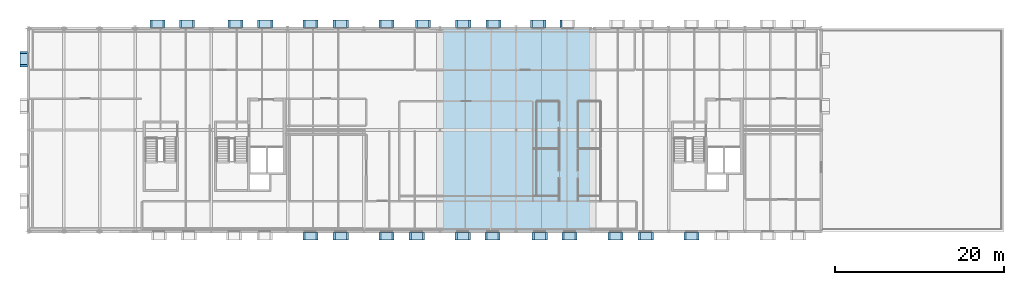
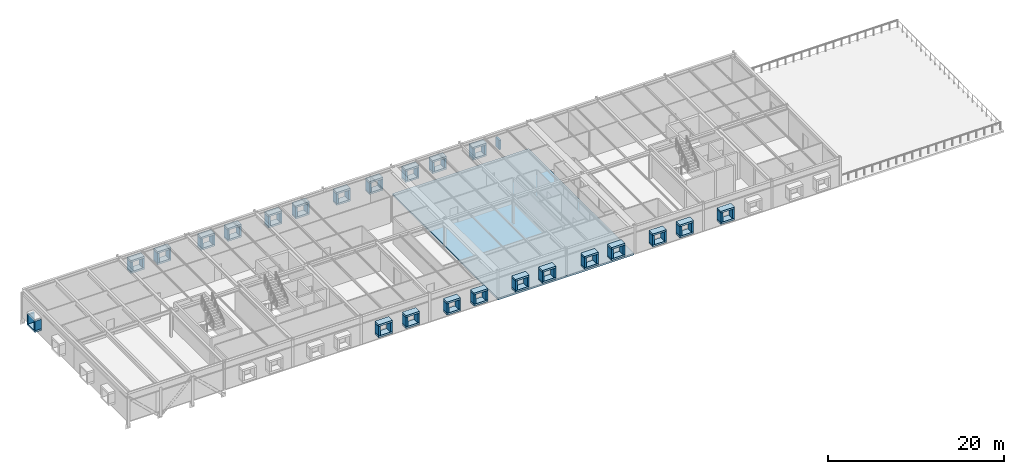
# One storey, part 6 of 17: 92 plates, 1 slab.
"""IFC4 building model written with IfcOpenShell, lengths in metres."""

from ifc_helpers import new_model, si_unit, direction, frame, origin, origin_2d, place, context, subcontext, project, spatial, polyline, rectangle, outline, extrude, material, layer, layer_set, type_object, element, save


model = new_model("IFC4")

# Units and contexts
model_context = context("Model", 3, precision=1e-05, world=origin(), true_north=direction((0.0, 1.0)))
body_context = subcontext(model_context, "Body", "Model", "MODEL_VIEW")
ifc_project = project(units=[si_unit("LENGTHUNIT", "METRE"), si_unit("AREAUNIT", "SQUARE_METRE"), si_unit("VOLUMEUNIT", "CUBIC_METRE"), si_unit("PLANEANGLEUNIT", "RADIAN"), si_unit("MASSUNIT", "GRAM", prefix="KILO")], contexts=[model_context])

# Site, building, storey
site_placement = place(None, origin())
site = spatial("IfcSite", under=ifc_project, at=site_placement, CompositionType="ELEMENT")
building_placement = place(site_placement, origin())
building = spatial("IfcBuilding", under=site, at=building_placement, Name="Montelvaro Courts of Justice", CompositionType="ELEMENT")
storey_placement = place(building_placement, frame((0.0, 0.0, 27.39990234375)))
storey = spatial("IfcBuildingStorey", under=building, at=storey_placement, Name="L06", CompositionType="ELEMENT", Elevation=27.39990234375)

# Slab
ifc_material_1 = material(Name="Concrete C35/45", Category="concrete")
ifc_layer_1 = layer(ifc_material_1, 0.239990234375)
ifc_layer_set_1 = layer_set([ifc_layer_1], Name="Concrete C35/45")
slab_type = type_object("IfcSlabType", Name="FloorSlab_240", PredefinedType="FLOOR", material=ifc_layer_set_1)
slab_placement = place(storey_placement, frame((0.0, 0.0, -0.239990234375)))
element("IfcSlab", 1, at=slab_placement, inside=storey, type_object=slab_type, Name="Structural Slab SF-08 L06", PredefinedType="FLOOR", context=body_context, shape_type="SweptSolid", body=[
    extrude(outline(polyline([(81.050048828125, 0.0), (98.949951171875, 0.0), (98.949951171875, 24.0), (81.050048828125, 24.0), (81.050048828125, 0.0)])), origin(), (0.0, 0.0, 1.0), 0.239990234375),
])

# Plates
ifc_material_2 = material(Name="White mineral precast concrete C45/55", Category="concrete")
ifc_layer_2 = layer(ifc_material_2, 0.25)
ifc_layer_set_2 = layer_set([ifc_layer_2], Name="White mineral precast concrete C45/55")
plate_type = type_object("IfcPlateType", Name="PrecastSquareFrame_250x850", PredefinedType="SHEET", material=ifc_layer_set_2)
for number, where, z_axis, x_axis, name in (
    (2, (65.702880859375, -0.56005859375, 2.35009765625), (0.0, 0.0, 1.0), (1.0, 0.0, 0.0), "Graduated Square Window Frame PF-03 W-L06-288 TOP"),
    (3, (65.702880859375, -0.56005859375, 0.800048828125), (0.0, 0.0, 1.0), (1.0, 0.0, 0.0), "Graduated Square Window Frame PF-03 W-L06-288 BOT"),
):
    element("IfcPlate", number, at=place(storey_placement, frame(where, z_axis=z_axis, x_axis=x_axis)), inside=storey, type_object=plate_type, Name=name, PredefinedType="SHEET", context=body_context, shape_type="SweptSolid", body=[
        extrude(rectangle(XDim=1.800048828125, YDim=0.860107421875, at=origin_2d()), origin(), (0.0, 0.0, 1.0), 0.25),
    ])
for number, where, z_axis, x_axis, name in (
    (4, (64.927978515625, -0.56005859375, 1.05029296875), (0.0, 0.0, 1.0), (1.0, 0.0, 0.0), "Graduated Square Window Frame PF-03 W-L06-288 L"),
    (5, (66.47802734375, -0.56005859375, 1.05029296875), (0.0, 0.0, 1.0), (1.0, 0.0, 0.0), "Graduated Square Window Frame PF-03 W-L06-288 R"),
):
    element("IfcPlate", number, at=place(storey_placement, frame(where, z_axis=z_axis, x_axis=x_axis)), inside=storey, type_object=plate_type, Name=name, PredefinedType="SHEET", context=body_context, shape_type="SweptSolid", body=[
        extrude(rectangle(XDim=0.25, YDim=0.860107421875, at=origin_2d()), origin(), (0.0, 0.0, 1.0), 1.300048828125),
    ])
for number, where, z_axis, x_axis, name in (
    (6, (69.297119140625, -0.56005859375, 2.35009765625), (0.0, 0.0, 1.0), (1.0, 0.0, 0.0), "Graduated Square Window Frame PF-03 W-L06-289 TOP"),
    (7, (69.297119140625, -0.56005859375, 0.800048828125), (0.0, 0.0, 1.0), (1.0, 0.0, 0.0), "Graduated Square Window Frame PF-03 W-L06-289 BOT"),
):
    element("IfcPlate", number, at=place(storey_placement, frame(where, z_axis=z_axis, x_axis=x_axis)), inside=storey, type_object=plate_type, Name=name, PredefinedType="SHEET", context=body_context, shape_type="SweptSolid", body=[
        extrude(rectangle(XDim=1.800048828125, YDim=0.860107421875, at=origin_2d()), origin(), (0.0, 0.0, 1.0), 0.25),
    ])
for number, where, z_axis, x_axis, name in (
    (8, (68.52197265625, -0.56005859375, 1.05029296875), (0.0, 0.0, 1.0), (1.0, 0.0, 0.0), "Graduated Square Window Frame PF-03 W-L06-289 L"),
    (9, (70.072021484375, -0.56005859375, 1.05029296875), (0.0, 0.0, 1.0), (1.0, 0.0, 0.0), "Graduated Square Window Frame PF-03 W-L06-289 R"),
):
    element("IfcPlate", number, at=place(storey_placement, frame(where, z_axis=z_axis, x_axis=x_axis)), inside=storey, type_object=plate_type, Name=name, PredefinedType="SHEET", context=body_context, shape_type="SweptSolid", body=[
        extrude(rectangle(XDim=0.25, YDim=0.860107421875, at=origin_2d()), origin(), (0.0, 0.0, 1.0), 1.300048828125),
    ])
for number, where, z_axis, x_axis, name in (
    (10, (74.68798828125, -0.56005859375, 2.35009765625), (0.0, 0.0, 1.0), (1.0, 0.0, 0.0), "Graduated Square Window Frame PF-03 W-L06-290 TOP"),
    (11, (74.68798828125, -0.56005859375, 0.800048828125), (0.0, 0.0, 1.0), (1.0, 0.0, 0.0), "Graduated Square Window Frame PF-03 W-L06-290 BOT"),
):
    element("IfcPlate", number, at=place(storey_placement, frame(where, z_axis=z_axis, x_axis=x_axis)), inside=storey, type_object=plate_type, Name=name, PredefinedType="SHEET", context=body_context, shape_type="SweptSolid", body=[
        extrude(rectangle(XDim=1.800048828125, YDim=0.860107421875, at=origin_2d()), origin(), (0.0, 0.0, 1.0), 0.25),
    ])
for number, where, z_axis, x_axis, name in (
    (12, (73.9130859375, -0.56005859375, 1.05029296875), (0.0, 0.0, 1.0), (1.0, 0.0, 0.0), "Graduated Square Window Frame PF-03 W-L06-290 L"),
    (13, (75.462890625, -0.56005859375, 1.05029296875), (0.0, 0.0, 1.0), (1.0, 0.0, 0.0), "Graduated Square Window Frame PF-03 W-L06-290 R"),
):
    element("IfcPlate", number, at=place(storey_placement, frame(where, z_axis=z_axis, x_axis=x_axis)), inside=storey, type_object=plate_type, Name=name, PredefinedType="SHEET", context=body_context, shape_type="SweptSolid", body=[
        extrude(rectangle(XDim=0.25, YDim=0.860107421875, at=origin_2d()), origin(), (0.0, 0.0, 1.0), 1.300048828125),
    ])
for number, where, z_axis, x_axis, name in (
    (14, (78.261962890625, -0.56005859375, 2.35009765625), (0.0, 0.0, 1.0), (1.0, 0.0, 0.0), "Graduated Square Window Frame PF-03 W-L06-291 TOP"),
    (15, (78.261962890625, -0.56005859375, 0.800048828125), (0.0, 0.0, 1.0), (1.0, 0.0, 0.0), "Graduated Square Window Frame PF-03 W-L06-291 BOT"),
):
    element("IfcPlate", number, at=place(storey_placement, frame(where, z_axis=z_axis, x_axis=x_axis)), inside=storey, type_object=plate_type, Name=name, PredefinedType="SHEET", context=body_context, shape_type="SweptSolid", body=[
        extrude(rectangle(XDim=1.800048828125, YDim=0.860107421875, at=origin_2d()), origin(), (0.0, 0.0, 1.0), 0.25),
    ])
for number, where, z_axis, x_axis, name in (
    (16, (77.487060546875, -0.56005859375, 1.05029296875), (0.0, 0.0, 1.0), (1.0, 0.0, 0.0), "Graduated Square Window Frame PF-03 W-L06-291 L"),
    (17, (79.037109375, -0.56005859375, 1.05029296875), (0.0, 0.0, 1.0), (1.0, 0.0, 0.0), "Graduated Square Window Frame PF-03 W-L06-291 R"),
):
    element("IfcPlate", number, at=place(storey_placement, frame(where, z_axis=z_axis, x_axis=x_axis)), inside=storey, type_object=plate_type, Name=name, PredefinedType="SHEET", context=body_context, shape_type="SweptSolid", body=[
        extrude(rectangle(XDim=0.25, YDim=0.860107421875, at=origin_2d()), origin(), (0.0, 0.0, 1.0), 1.300048828125),
    ])
for number, where, z_axis, x_axis, name in (
    (18, (78.989990234375, 24.56005859375, 2.35009765625), (0.0, 0.0, 1.0), (-1.0, 0.0, 0.0), "Graduated Square Window Frame PF-03 W-L06-292 TOP"),
    (19, (78.989990234375, 24.56005859375, 0.800048828125), (0.0, 0.0, 1.0), (-1.0, 0.0, 0.0), "Graduated Square Window Frame PF-03 W-L06-292 BOT"),
):
    element("IfcPlate", number, at=place(storey_placement, frame(where, z_axis=z_axis, x_axis=x_axis)), inside=storey, type_object=plate_type, Name=name, PredefinedType="SHEET", context=body_context, shape_type="SweptSolid", body=[
        extrude(rectangle(XDim=1.800048828125, YDim=0.860107421875, at=origin_2d()), origin(), (0.0, 0.0, 1.0), 0.25),
    ])
for number, where, z_axis, x_axis, name in (
    (20, (79.764892578125, 24.56005859375, 1.05029296875), (0.0, 0.0, 1.0), (-1.0, 0.0, 0.0), "Graduated Square Window Frame PF-03 W-L06-292 L"),
    (21, (78.215087890625, 24.56005859375, 1.05029296875), (0.0, 0.0, 1.0), (-1.0, 0.0, 0.0), "Graduated Square Window Frame PF-03 W-L06-292 R"),
):
    element("IfcPlate", number, at=place(storey_placement, frame(where, z_axis=z_axis, x_axis=x_axis)), inside=storey, type_object=plate_type, Name=name, PredefinedType="SHEET", context=body_context, shape_type="SweptSolid", body=[
        extrude(rectangle(XDim=0.25, YDim=0.860107421875, at=origin_2d()), origin(), (0.0, 0.0, 1.0), 1.300048828125),
    ])
for number, where, z_axis, x_axis, name in (
    (22, (74.68798828125, 24.56005859375, 2.35009765625), (0.0, 0.0, 1.0), (-1.0, 0.0, 0.0), "Graduated Square Window Frame PF-03 W-L06-293 TOP"),
    (23, (74.68798828125, 24.56005859375, 0.800048828125), (0.0, 0.0, 1.0), (-1.0, 0.0, 0.0), "Graduated Square Window Frame PF-03 W-L06-293 BOT"),
):
    element("IfcPlate", number, at=place(storey_placement, frame(where, z_axis=z_axis, x_axis=x_axis)), inside=storey, type_object=plate_type, Name=name, PredefinedType="SHEET", context=body_context, shape_type="SweptSolid", body=[
        extrude(rectangle(XDim=1.800048828125, YDim=0.860107421875, at=origin_2d()), origin(), (0.0, 0.0, 1.0), 0.25),
    ])
for number, where, z_axis, x_axis, name in (
    (24, (75.462890625, 24.56005859375, 1.05029296875), (0.0, 0.0, 1.0), (-1.0, 0.0, 0.0), "Graduated Square Window Frame PF-03 W-L06-293 L"),
    (25, (73.9130859375, 24.56005859375, 1.05029296875), (0.0, 0.0, 1.0), (-1.0, 0.0, 0.0), "Graduated Square Window Frame PF-03 W-L06-293 R"),
):
    element("IfcPlate", number, at=place(storey_placement, frame(where, z_axis=z_axis, x_axis=x_axis)), inside=storey, type_object=plate_type, Name=name, PredefinedType="SHEET", context=body_context, shape_type="SweptSolid", body=[
        extrude(rectangle(XDim=0.25, YDim=0.860107421875, at=origin_2d()), origin(), (0.0, 0.0, 1.0), 1.300048828125),
    ])
for number, where, z_axis, x_axis, name in (
    (26, (69.297119140625, 24.56005859375, 2.35009765625), (0.0, 0.0, 1.0), (-1.0, 0.0, 0.0), "Graduated Square Window Frame PF-03 W-L06-294 TOP"),
    (27, (69.297119140625, 24.56005859375, 0.800048828125), (0.0, 0.0, 1.0), (-1.0, 0.0, 0.0), "Graduated Square Window Frame PF-03 W-L06-294 BOT"),
):
    element("IfcPlate", number, at=place(storey_placement, frame(where, z_axis=z_axis, x_axis=x_axis)), inside=storey, type_object=plate_type, Name=name, PredefinedType="SHEET", context=body_context, shape_type="SweptSolid", body=[
        extrude(rectangle(XDim=1.800048828125, YDim=0.860107421875, at=origin_2d()), origin(), (0.0, 0.0, 1.0), 0.25),
    ])
for number, where, z_axis, x_axis, name in (
    (28, (70.072021484375, 24.56005859375, 1.05029296875), (0.0, 0.0, 1.0), (-1.0, 0.0, 0.0), "Graduated Square Window Frame PF-03 W-L06-294 L"),
    (29, (68.52197265625, 24.56005859375, 1.05029296875), (0.0, 0.0, 1.0), (-1.0, 0.0, 0.0), "Graduated Square Window Frame PF-03 W-L06-294 R"),
):
    element("IfcPlate", number, at=place(storey_placement, frame(where, z_axis=z_axis, x_axis=x_axis)), inside=storey, type_object=plate_type, Name=name, PredefinedType="SHEET", context=body_context, shape_type="SweptSolid", body=[
        extrude(rectangle(XDim=0.25, YDim=0.860107421875, at=origin_2d()), origin(), (0.0, 0.0, 1.0), 1.300048828125),
    ])
for number, where, z_axis, x_axis, name in (
    (30, (65.702880859375, 24.56005859375, 2.35009765625), (0.0, 0.0, 1.0), (-1.0, 0.0, 0.0), "Graduated Square Window Frame PF-03 W-L06-295 TOP"),
    (31, (65.702880859375, 24.56005859375, 0.800048828125), (0.0, 0.0, 1.0), (-1.0, 0.0, 0.0), "Graduated Square Window Frame PF-03 W-L06-295 BOT"),
):
    element("IfcPlate", number, at=place(storey_placement, frame(where, z_axis=z_axis, x_axis=x_axis)), inside=storey, type_object=plate_type, Name=name, PredefinedType="SHEET", context=body_context, shape_type="SweptSolid", body=[
        extrude(rectangle(XDim=1.800048828125, YDim=0.860107421875, at=origin_2d()), origin(), (0.0, 0.0, 1.0), 0.25),
    ])
for number, where, z_axis, x_axis, name in (
    (32, (66.47802734375, 24.56005859375, 1.05029296875), (0.0, 0.0, 1.0), (-1.0, 0.0, 0.0), "Graduated Square Window Frame PF-03 W-L06-295 L"),
    (33, (64.927978515625, 24.56005859375, 1.05029296875), (0.0, 0.0, 1.0), (-1.0, 0.0, 0.0), "Graduated Square Window Frame PF-03 W-L06-295 R"),
):
    element("IfcPlate", number, at=place(storey_placement, frame(where, z_axis=z_axis, x_axis=x_axis)), inside=storey, type_object=plate_type, Name=name, PredefinedType="SHEET", context=body_context, shape_type="SweptSolid", body=[
        extrude(rectangle(XDim=0.25, YDim=0.860107421875, at=origin_2d()), origin(), (0.0, 0.0, 1.0), 1.300048828125),
    ])
for number, where, z_axis, x_axis, name in (
    (34, (60.368896484375, 24.56005859375, 2.35009765625), (0.0, 0.0, 1.0), (-1.0, 0.0, 0.0), "Graduated Square Window Frame PF-03 W-L06-296 TOP"),
    (35, (60.368896484375, 24.56005859375, 0.800048828125), (0.0, 0.0, 1.0), (-1.0, 0.0, 0.0), "Graduated Square Window Frame PF-03 W-L06-296 BOT"),
):
    element("IfcPlate", number, at=place(storey_placement, frame(where, z_axis=z_axis, x_axis=x_axis)), inside=storey, type_object=plate_type, Name=name, PredefinedType="SHEET", context=body_context, shape_type="SweptSolid", body=[
        extrude(rectangle(XDim=1.800048828125, YDim=0.860107421875, at=origin_2d()), origin(), (0.0, 0.0, 1.0), 0.25),
    ])
for number, where, z_axis, x_axis, name in (
    (36, (61.14404296875, 24.56005859375, 1.05029296875), (0.0, 0.0, 1.0), (-1.0, 0.0, 0.0), "Graduated Square Window Frame PF-03 W-L06-296 L"),
    (37, (59.593994140625, 24.56005859375, 1.05029296875), (0.0, 0.0, 1.0), (-1.0, 0.0, 0.0), "Graduated Square Window Frame PF-03 W-L06-296 R"),
):
    element("IfcPlate", number, at=place(storey_placement, frame(where, z_axis=z_axis, x_axis=x_axis)), inside=storey, type_object=plate_type, Name=name, PredefinedType="SHEET", context=body_context, shape_type="SweptSolid", body=[
        extrude(rectangle(XDim=0.25, YDim=0.860107421875, at=origin_2d()), origin(), (0.0, 0.0, 1.0), 1.300048828125),
    ])
for number, where, z_axis, x_axis, name in (
    (38, (56.87109375, 24.56005859375, 2.35009765625), (0.0, 0.0, 1.0), (-1.0, 0.0, 0.0), "Graduated Square Window Frame PF-03 W-L06-297 TOP"),
    (39, (56.87109375, 24.56005859375, 0.800048828125), (0.0, 0.0, 1.0), (-1.0, 0.0, 0.0), "Graduated Square Window Frame PF-03 W-L06-297 BOT"),
):
    element("IfcPlate", number, at=place(storey_placement, frame(where, z_axis=z_axis, x_axis=x_axis)), inside=storey, type_object=plate_type, Name=name, PredefinedType="SHEET", context=body_context, shape_type="SweptSolid", body=[
        extrude(rectangle(XDim=1.800048828125, YDim=0.860107421875, at=origin_2d()), origin(), (0.0, 0.0, 1.0), 0.25),
    ])
for number, where, z_axis, x_axis, name in (
    (40, (57.64599609375, 24.56005859375, 1.05029296875), (0.0, 0.0, 1.0), (-1.0, 0.0, 0.0), "Graduated Square Window Frame PF-03 W-L06-297 L"),
    (41, (56.095947265625, 24.56005859375, 1.05029296875), (0.0, 0.0, 1.0), (-1.0, 0.0, 0.0), "Graduated Square Window Frame PF-03 W-L06-297 R"),
):
    element("IfcPlate", number, at=place(storey_placement, frame(where, z_axis=z_axis, x_axis=x_axis)), inside=storey, type_object=plate_type, Name=name, PredefinedType="SHEET", context=body_context, shape_type="SweptSolid", body=[
        extrude(rectangle(XDim=0.25, YDim=0.860107421875, at=origin_2d()), origin(), (0.0, 0.0, 1.0), 1.300048828125),
    ])
for number, where, z_axis, x_axis, name in (
    (42, (51.12890625, 24.56005859375, 2.35009765625), (0.0, 0.0, 1.0), (-1.0, 0.0, 0.0), "Graduated Square Window Frame PF-03 W-L06-298 TOP"),
    (43, (51.12890625, 24.56005859375, 0.800048828125), (0.0, 0.0, 1.0), (-1.0, 0.0, 0.0), "Graduated Square Window Frame PF-03 W-L06-298 BOT"),
):
    element("IfcPlate", number, at=place(storey_placement, frame(where, z_axis=z_axis, x_axis=x_axis)), inside=storey, type_object=plate_type, Name=name, PredefinedType="SHEET", context=body_context, shape_type="SweptSolid", body=[
        extrude(rectangle(XDim=1.800048828125, YDim=0.860107421875, at=origin_2d()), origin(), (0.0, 0.0, 1.0), 0.25),
    ])
for number, where, z_axis, x_axis, name in (
    (44, (51.904052734375, 24.56005859375, 1.05029296875), (0.0, 0.0, 1.0), (-1.0, 0.0, 0.0), "Graduated Square Window Frame PF-03 W-L06-298 L"),
    (45, (50.35400390625, 24.56005859375, 1.05029296875), (0.0, 0.0, 1.0), (-1.0, 0.0, 0.0), "Graduated Square Window Frame PF-03 W-L06-298 R"),
):
    element("IfcPlate", number, at=place(storey_placement, frame(where, z_axis=z_axis, x_axis=x_axis)), inside=storey, type_object=plate_type, Name=name, PredefinedType="SHEET", context=body_context, shape_type="SweptSolid", body=[
        extrude(rectangle(XDim=0.25, YDim=0.860107421875, at=origin_2d()), origin(), (0.0, 0.0, 1.0), 1.300048828125),
    ])
for number, where, z_axis, x_axis, name in (
    (46, (47.631103515625, 24.56005859375, 2.35009765625), (0.0, 0.0, 1.0), (-1.0, 0.0, 0.0), "Graduated Square Window Frame PF-03 W-L06-299 TOP"),
    (47, (47.631103515625, 24.56005859375, 0.800048828125), (0.0, 0.0, 1.0), (-1.0, 0.0, 0.0), "Graduated Square Window Frame PF-03 W-L06-299 BOT"),
):
    element("IfcPlate", number, at=place(storey_placement, frame(where, z_axis=z_axis, x_axis=x_axis)), inside=storey, type_object=plate_type, Name=name, PredefinedType="SHEET", context=body_context, shape_type="SweptSolid", body=[
        extrude(rectangle(XDim=1.800048828125, YDim=0.860107421875, at=origin_2d()), origin(), (0.0, 0.0, 1.0), 0.25),
    ])
for number, where, z_axis, x_axis, name in (
    (48, (48.406005859375, 24.56005859375, 1.05029296875), (0.0, 0.0, 1.0), (-1.0, 0.0, 0.0), "Graduated Square Window Frame PF-03 W-L06-299 L"),
    (49, (46.85595703125, 24.56005859375, 1.05029296875), (0.0, 0.0, 1.0), (-1.0, 0.0, 0.0), "Graduated Square Window Frame PF-03 W-L06-299 R"),
):
    element("IfcPlate", number, at=place(storey_placement, frame(where, z_axis=z_axis, x_axis=x_axis)), inside=storey, type_object=plate_type, Name=name, PredefinedType="SHEET", context=body_context, shape_type="SweptSolid", body=[
        extrude(rectangle(XDim=0.25, YDim=0.860107421875, at=origin_2d()), origin(), (0.0, 0.0, 1.0), 1.300048828125),
    ])
plate_placement = place(storey_placement, frame((31.840087890625, 20.368896484375, 0.800048828125), z_axis=(0.0, 0.0, 1.0), x_axis=(0.0, -1.0, 0.0)))
element("IfcPlate", 50, at=plate_placement, inside=storey, type_object=plate_type, Name="Graduated Square Window Frame PF-03 W-L06-300 BOT", PredefinedType="SHEET", context=body_context, shape_type="SweptSolid", body=[
    extrude(rectangle(XDim=1.800048828125, YDim=0.860107421875, at=origin_2d()), origin(), (0.0, 0.0, 1.0), 0.25),
])
for number, where, z_axis, x_axis, name in (
    (51, (31.840087890625, 21.14404296875, 1.05029296875), (0.0, 0.0, 1.0), (0.0, -1.0, 0.0), "Graduated Square Window Frame PF-03 W-L06-300 L"),
    (52, (31.840087890625, 19.593994140625, 1.05029296875), (0.0, 0.0, 1.0), (0.0, -1.0, 0.0), "Graduated Square Window Frame PF-03 W-L06-300 R"),
):
    element("IfcPlate", number, at=place(storey_placement, frame(where, z_axis=z_axis, x_axis=x_axis)), inside=storey, type_object=plate_type, Name=name, PredefinedType="SHEET", context=body_context, shape_type="SweptSolid", body=[
        extrude(rectangle(XDim=0.25, YDim=0.860107421875, at=origin_2d()), origin(), (0.0, 0.0, 1.0), 1.300048828125),
    ])
for number, where, z_axis, x_axis, name in (
    (53, (83.696044921875, -0.56005859375, 2.35009765625), (0.0, 0.0, 1.0), (1.0, 0.0, 0.0), "Graduated Square Window Frame PF-03 W-L06-304 TOP"),
    (54, (83.696044921875, -0.56005859375, 0.800048828125), (0.0, 0.0, 1.0), (1.0, 0.0, 0.0), "Graduated Square Window Frame PF-03 W-L06-304 BOT"),
):
    element("IfcPlate", number, at=place(storey_placement, frame(where, z_axis=z_axis, x_axis=x_axis)), inside=storey, type_object=plate_type, Name=name, PredefinedType="SHEET", context=body_context, shape_type="SweptSolid", body=[
        extrude(rectangle(XDim=1.800048828125, YDim=0.860107421875, at=origin_2d()), origin(), (0.0, 0.0, 1.0), 0.25),
    ])
for number, where, z_axis, x_axis, name in (
    (55, (82.9208984375, -0.56005859375, 1.05029296875), (0.0, 0.0, 1.0), (1.0, 0.0, 0.0), "Graduated Square Window Frame PF-03 W-L06-304 L"),
    (56, (84.470947265625, -0.56005859375, 1.05029296875), (0.0, 0.0, 1.0), (1.0, 0.0, 0.0), "Graduated Square Window Frame PF-03 W-L06-304 R"),
):
    element("IfcPlate", number, at=place(storey_placement, frame(where, z_axis=z_axis, x_axis=x_axis)), inside=storey, type_object=plate_type, Name=name, PredefinedType="SHEET", context=body_context, shape_type="SweptSolid", body=[
        extrude(rectangle(XDim=0.25, YDim=0.860107421875, at=origin_2d()), origin(), (0.0, 0.0, 1.0), 1.300048828125),
    ])
for number, where, z_axis, x_axis, name in (
    (57, (87.214111328125, -0.56005859375, 2.35009765625), (0.0, 0.0, 1.0), (1.0, 0.0, 0.0), "Graduated Square Window Frame PF-03 W-L06-305 TOP"),
    (58, (87.214111328125, -0.56005859375, 0.800048828125), (0.0, 0.0, 1.0), (1.0, 0.0, 0.0), "Graduated Square Window Frame PF-03 W-L06-305 BOT"),
):
    element("IfcPlate", number, at=place(storey_placement, frame(where, z_axis=z_axis, x_axis=x_axis)), inside=storey, type_object=plate_type, Name=name, PredefinedType="SHEET", context=body_context, shape_type="SweptSolid", body=[
        extrude(rectangle(XDim=1.800048828125, YDim=0.860107421875, at=origin_2d()), origin(), (0.0, 0.0, 1.0), 0.25),
    ])
for number, where, z_axis, x_axis, name in (
    (59, (86.43896484375, -0.56005859375, 1.05029296875), (0.0, 0.0, 1.0), (1.0, 0.0, 0.0), "Graduated Square Window Frame PF-03 W-L06-305 L"),
    (60, (87.989013671875, -0.56005859375, 1.05029296875), (0.0, 0.0, 1.0), (1.0, 0.0, 0.0), "Graduated Square Window Frame PF-03 W-L06-305 R"),
):
    element("IfcPlate", number, at=place(storey_placement, frame(where, z_axis=z_axis, x_axis=x_axis)), inside=storey, type_object=plate_type, Name=name, PredefinedType="SHEET", context=body_context, shape_type="SweptSolid", body=[
        extrude(rectangle(XDim=0.25, YDim=0.860107421875, at=origin_2d()), origin(), (0.0, 0.0, 1.0), 1.300048828125),
    ])
for number, where, z_axis, x_axis, name in (
    (61, (92.785888671875, -0.56005859375, 2.35009765625), (0.0, 0.0, 1.0), (1.0, 0.0, 0.0), "Graduated Square Window Frame PF-03 W-L06-306 TOP"),
    (62, (92.785888671875, -0.56005859375, 0.800048828125), (0.0, 0.0, 1.0), (1.0, 0.0, 0.0), "Graduated Square Window Frame PF-03 W-L06-306 BOT"),
):
    element("IfcPlate", number, at=place(storey_placement, frame(where, z_axis=z_axis, x_axis=x_axis)), inside=storey, type_object=plate_type, Name=name, PredefinedType="SHEET", context=body_context, shape_type="SweptSolid", body=[
        extrude(rectangle(XDim=1.800048828125, YDim=0.860107421875, at=origin_2d()), origin(), (0.0, 0.0, 1.0), 0.25),
    ])
for number, where, z_axis, x_axis, name in (
    (63, (92.010986328125, -0.56005859375, 1.05029296875), (0.0, 0.0, 1.0), (1.0, 0.0, 0.0), "Graduated Square Window Frame PF-03 W-L06-306 L"),
    (64, (93.56103515625, -0.56005859375, 1.05029296875), (0.0, 0.0, 1.0), (1.0, 0.0, 0.0), "Graduated Square Window Frame PF-03 W-L06-306 R"),
):
    element("IfcPlate", number, at=place(storey_placement, frame(where, z_axis=z_axis, x_axis=x_axis)), inside=storey, type_object=plate_type, Name=name, PredefinedType="SHEET", context=body_context, shape_type="SweptSolid", body=[
        extrude(rectangle(XDim=0.25, YDim=0.860107421875, at=origin_2d()), origin(), (0.0, 0.0, 1.0), 1.300048828125),
    ])
for number, where, z_axis, x_axis, name in (
    (65, (96.303955078125, -0.56005859375, 2.35009765625), (0.0, 0.0, 1.0), (1.0, 0.0, 0.0), "Graduated Square Window Frame PF-03 W-L06-307 TOP"),
    (66, (96.303955078125, -0.56005859375, 0.800048828125), (0.0, 0.0, 1.0), (1.0, 0.0, 0.0), "Graduated Square Window Frame PF-03 W-L06-307 BOT"),
):
    element("IfcPlate", number, at=place(storey_placement, frame(where, z_axis=z_axis, x_axis=x_axis)), inside=storey, type_object=plate_type, Name=name, PredefinedType="SHEET", context=body_context, shape_type="SweptSolid", body=[
        extrude(rectangle(XDim=1.800048828125, YDim=0.860107421875, at=origin_2d()), origin(), (0.0, 0.0, 1.0), 0.25),
    ])
for number, where, z_axis, x_axis, name in (
    (67, (95.529052734375, -0.56005859375, 1.05029296875), (0.0, 0.0, 1.0), (1.0, 0.0, 0.0), "Graduated Square Window Frame PF-03 W-L06-307 L"),
    (68, (97.0791015625, -0.56005859375, 1.05029296875), (0.0, 0.0, 1.0), (1.0, 0.0, 0.0), "Graduated Square Window Frame PF-03 W-L06-307 R"),
    (69, (95.283935546875, 24.56005859375, 1.05029296875), (0.0, 0.0, 1.0), (-1.0, 0.0, 0.0), "Graduated Square Window Frame PF-03 W-L06-308 R"),
):
    element("IfcPlate", number, at=place(storey_placement, frame(where, z_axis=z_axis, x_axis=x_axis)), inside=storey, type_object=plate_type, Name=name, PredefinedType="SHEET", context=body_context, shape_type="SweptSolid", body=[
        extrude(rectangle(XDim=0.25, YDim=0.860107421875, at=origin_2d()), origin(), (0.0, 0.0, 1.0), 1.300048828125),
    ])
for number, where, z_axis, x_axis, name in (
    (70, (92.60107421875, 24.56005859375, 2.35009765625), (0.0, 0.0, 1.0), (-1.0, 0.0, 0.0), "Graduated Square Window Frame PF-03 W-L06-309 TOP"),
    (71, (92.60107421875, 24.56005859375, 0.800048828125), (0.0, 0.0, 1.0), (-1.0, 0.0, 0.0), "Graduated Square Window Frame PF-03 W-L06-309 BOT"),
):
    element("IfcPlate", number, at=place(storey_placement, frame(where, z_axis=z_axis, x_axis=x_axis)), inside=storey, type_object=plate_type, Name=name, PredefinedType="SHEET", context=body_context, shape_type="SweptSolid", body=[
        extrude(rectangle(XDim=1.800048828125, YDim=0.860107421875, at=origin_2d()), origin(), (0.0, 0.0, 1.0), 0.25),
    ])
for number, where, z_axis, x_axis, name in (
    (72, (93.3759765625, 24.56005859375, 1.05029296875), (0.0, 0.0, 1.0), (-1.0, 0.0, 0.0), "Graduated Square Window Frame PF-03 W-L06-309 L"),
    (73, (91.825927734375, 24.56005859375, 1.05029296875), (0.0, 0.0, 1.0), (-1.0, 0.0, 0.0), "Graduated Square Window Frame PF-03 W-L06-309 R"),
):
    element("IfcPlate", number, at=place(storey_placement, frame(where, z_axis=z_axis, x_axis=x_axis)), inside=storey, type_object=plate_type, Name=name, PredefinedType="SHEET", context=body_context, shape_type="SweptSolid", body=[
        extrude(rectangle(XDim=0.25, YDim=0.860107421875, at=origin_2d()), origin(), (0.0, 0.0, 1.0), 1.300048828125),
    ])
for number, where, z_axis, x_axis, name in (
    (74, (87.31201171875, 24.56005859375, 2.35009765625), (0.0, 0.0, 1.0), (-1.0, 0.0, 0.0), "Graduated Square Window Frame PF-03 W-L06-310 TOP"),
    (75, (87.31201171875, 24.56005859375, 0.800048828125), (0.0, 0.0, 1.0), (-1.0, 0.0, 0.0), "Graduated Square Window Frame PF-03 W-L06-310 BOT"),
):
    element("IfcPlate", number, at=place(storey_placement, frame(where, z_axis=z_axis, x_axis=x_axis)), inside=storey, type_object=plate_type, Name=name, PredefinedType="SHEET", context=body_context, shape_type="SweptSolid", body=[
        extrude(rectangle(XDim=1.800048828125, YDim=0.860107421875, at=origin_2d()), origin(), (0.0, 0.0, 1.0), 0.25),
    ])
for number, where, z_axis, x_axis, name in (
    (76, (88.0869140625, 24.56005859375, 1.05029296875), (0.0, 0.0, 1.0), (-1.0, 0.0, 0.0), "Graduated Square Window Frame PF-03 W-L06-310 L"),
    (77, (86.537109375, 24.56005859375, 1.05029296875), (0.0, 0.0, 1.0), (-1.0, 0.0, 0.0), "Graduated Square Window Frame PF-03 W-L06-310 R"),
):
    element("IfcPlate", number, at=place(storey_placement, frame(where, z_axis=z_axis, x_axis=x_axis)), inside=storey, type_object=plate_type, Name=name, PredefinedType="SHEET", context=body_context, shape_type="SweptSolid", body=[
        extrude(rectangle(XDim=0.25, YDim=0.860107421875, at=origin_2d()), origin(), (0.0, 0.0, 1.0), 1.300048828125),
    ])
for number, where, z_axis, x_axis, name in (
    (78, (83.738037109375, 24.56005859375, 2.35009765625), (0.0, 0.0, 1.0), (-1.0, 0.0, 0.0), "Graduated Square Window Frame PF-03 W-L06-311 TOP"),
    (79, (83.738037109375, 24.56005859375, 0.800048828125), (0.0, 0.0, 1.0), (-1.0, 0.0, 0.0), "Graduated Square Window Frame PF-03 W-L06-311 BOT"),
):
    element("IfcPlate", number, at=place(storey_placement, frame(where, z_axis=z_axis, x_axis=x_axis)), inside=storey, type_object=plate_type, Name=name, PredefinedType="SHEET", context=body_context, shape_type="SweptSolid", body=[
        extrude(rectangle(XDim=1.800048828125, YDim=0.860107421875, at=origin_2d()), origin(), (0.0, 0.0, 1.0), 0.25),
    ])
for number, where, z_axis, x_axis, name in (
    (80, (84.512939453125, 24.56005859375, 1.05029296875), (0.0, 0.0, 1.0), (-1.0, 0.0, 0.0), "Graduated Square Window Frame PF-03 W-L06-311 L"),
    (81, (82.962890625, 24.56005859375, 1.05029296875), (0.0, 0.0, 1.0), (-1.0, 0.0, 0.0), "Graduated Square Window Frame PF-03 W-L06-311 R"),
):
    element("IfcPlate", number, at=place(storey_placement, frame(where, z_axis=z_axis, x_axis=x_axis)), inside=storey, type_object=plate_type, Name=name, PredefinedType="SHEET", context=body_context, shape_type="SweptSolid", body=[
        extrude(rectangle(XDim=0.25, YDim=0.860107421875, at=origin_2d()), origin(), (0.0, 0.0, 1.0), 1.300048828125),
    ])
for number, where, z_axis, x_axis, name in (
    (82, (101.738037109375, -0.56005859375, 2.35009765625), (0.0, 0.0, 1.0), (1.0, 0.0, 0.0), "Graduated Square Window Frame PF-03 W-L06-312 TOP"),
    (83, (101.738037109375, -0.56005859375, 0.800048828125), (0.0, 0.0, 1.0), (1.0, 0.0, 0.0), "Graduated Square Window Frame PF-03 W-L06-312 BOT"),
):
    element("IfcPlate", number, at=place(storey_placement, frame(where, z_axis=z_axis, x_axis=x_axis)), inside=storey, type_object=plate_type, Name=name, PredefinedType="SHEET", context=body_context, shape_type="SweptSolid", body=[
        extrude(rectangle(XDim=1.800048828125, YDim=0.860107421875, at=origin_2d()), origin(), (0.0, 0.0, 1.0), 0.25),
    ])
for number, where, z_axis, x_axis, name in (
    (84, (100.962890625, -0.56005859375, 1.05029296875), (0.0, 0.0, 1.0), (1.0, 0.0, 0.0), "Graduated Square Window Frame PF-03 W-L06-312 L"),
    (85, (102.512939453125, -0.56005859375, 1.05029296875), (0.0, 0.0, 1.0), (1.0, 0.0, 0.0), "Graduated Square Window Frame PF-03 W-L06-312 R"),
):
    element("IfcPlate", number, at=place(storey_placement, frame(where, z_axis=z_axis, x_axis=x_axis)), inside=storey, type_object=plate_type, Name=name, PredefinedType="SHEET", context=body_context, shape_type="SweptSolid", body=[
        extrude(rectangle(XDim=0.25, YDim=0.860107421875, at=origin_2d()), origin(), (0.0, 0.0, 1.0), 1.300048828125),
    ])
for number, where, z_axis, x_axis, name in (
    (86, (105.31201171875, -0.56005859375, 2.35009765625), (0.0, 0.0, 1.0), (1.0, 0.0, 0.0), "Graduated Square Window Frame PF-03 W-L06-313 TOP"),
    (87, (105.31201171875, -0.56005859375, 0.800048828125), (0.0, 0.0, 1.0), (1.0, 0.0, 0.0), "Graduated Square Window Frame PF-03 W-L06-313 BOT"),
):
    element("IfcPlate", number, at=place(storey_placement, frame(where, z_axis=z_axis, x_axis=x_axis)), inside=storey, type_object=plate_type, Name=name, PredefinedType="SHEET", context=body_context, shape_type="SweptSolid", body=[
        extrude(rectangle(XDim=1.800048828125, YDim=0.860107421875, at=origin_2d()), origin(), (0.0, 0.0, 1.0), 0.25),
    ])
for number, where, z_axis, x_axis, name in (
    (88, (104.537109375, -0.56005859375, 1.05029296875), (0.0, 0.0, 1.0), (1.0, 0.0, 0.0), "Graduated Square Window Frame PF-03 W-L06-313 L"),
    (89, (106.0869140625, -0.56005859375, 1.05029296875), (0.0, 0.0, 1.0), (1.0, 0.0, 0.0), "Graduated Square Window Frame PF-03 W-L06-313 R"),
):
    element("IfcPlate", number, at=place(storey_placement, frame(where, z_axis=z_axis, x_axis=x_axis)), inside=storey, type_object=plate_type, Name=name, PredefinedType="SHEET", context=body_context, shape_type="SweptSolid", body=[
        extrude(rectangle(XDim=0.25, YDim=0.860107421875, at=origin_2d()), origin(), (0.0, 0.0, 1.0), 1.300048828125),
    ])
for number, where, z_axis, x_axis, name in (
    (90, (110.702880859375, -0.56005859375, 2.35009765625), (0.0, 0.0, 1.0), (1.0, 0.0, 0.0), "Graduated Square Window Frame PF-03 W-L06-314 TOP"),
    (91, (110.702880859375, -0.56005859375, 0.800048828125), (0.0, 0.0, 1.0), (1.0, 0.0, 0.0), "Graduated Square Window Frame PF-03 W-L06-314 BOT"),
):
    element("IfcPlate", number, at=place(storey_placement, frame(where, z_axis=z_axis, x_axis=x_axis)), inside=storey, type_object=plate_type, Name=name, PredefinedType="SHEET", context=body_context, shape_type="SweptSolid", body=[
        extrude(rectangle(XDim=1.800048828125, YDim=0.860107421875, at=origin_2d()), origin(), (0.0, 0.0, 1.0), 0.25),
    ])
for number, where, z_axis, x_axis, name in (
    (92, (109.927978515625, -0.56005859375, 1.05029296875), (0.0, 0.0, 1.0), (1.0, 0.0, 0.0), "Graduated Square Window Frame PF-03 W-L06-314 L"),
    (93, (111.47802734375, -0.56005859375, 1.05029296875), (0.0, 0.0, 1.0), (1.0, 0.0, 0.0), "Graduated Square Window Frame PF-03 W-L06-314 R"),
):
    element("IfcPlate", number, at=place(storey_placement, frame(where, z_axis=z_axis, x_axis=x_axis)), inside=storey, type_object=plate_type, Name=name, PredefinedType="SHEET", context=body_context, shape_type="SweptSolid", body=[
        extrude(rectangle(XDim=0.25, YDim=0.860107421875, at=origin_2d()), origin(), (0.0, 0.0, 1.0), 1.300048828125),
    ])

save(model, "model.ifc")
